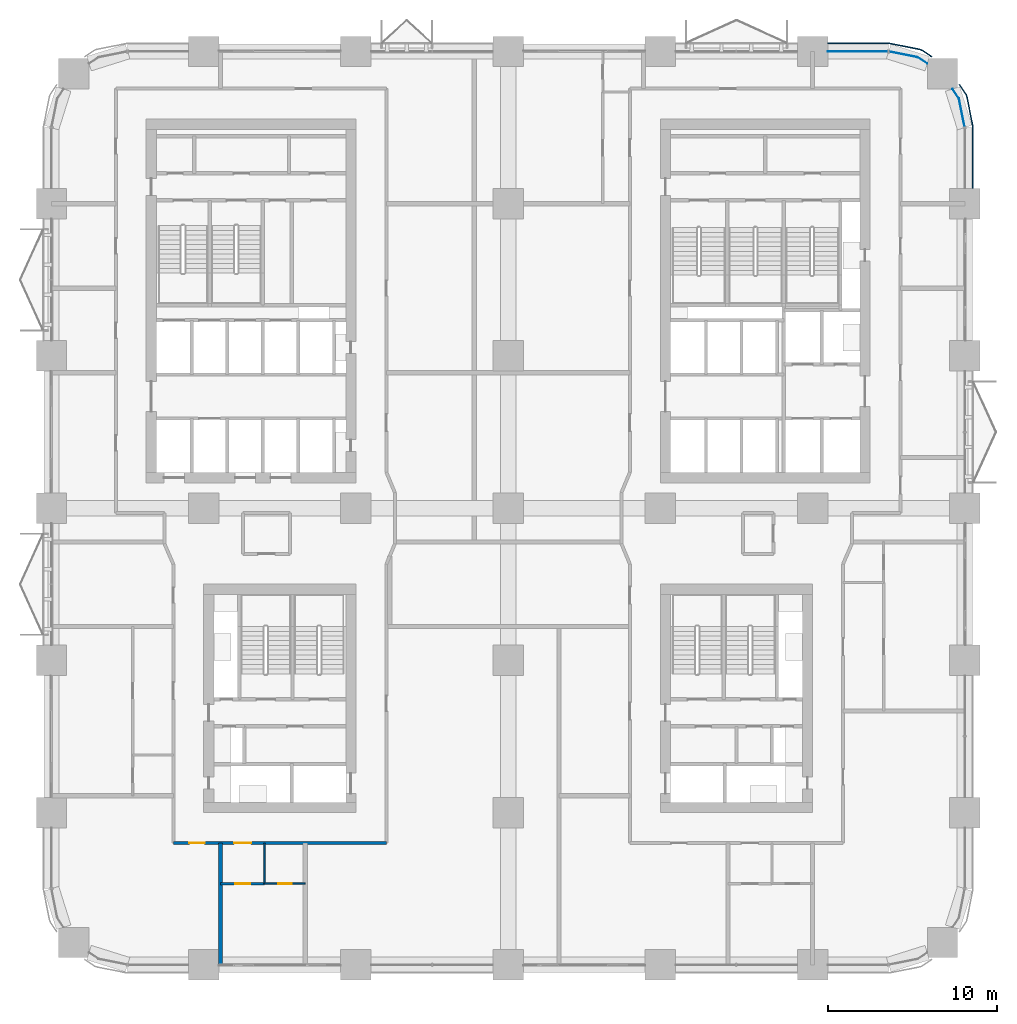
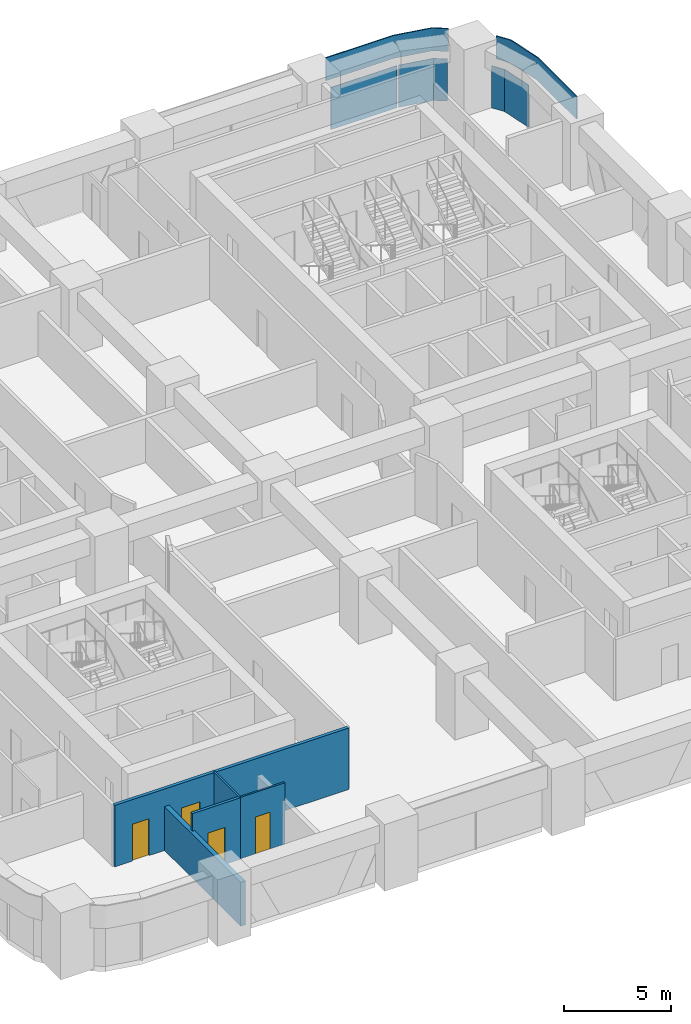
# One storey, part 11 of 21: 5 plates, 5 walls, 4 doors, 4 openings, 2 elements without a shape of their own.
"""IFC4 building model written with IfcOpenShell, lengths in metres."""

from ifc_helpers import new_model, si_unit, direction, frame, frame_2d, origin, origin_2d, place, context, subcontext, project, spatial, polyline, rectangle, outline, extrude, material, layer, layer_set, type_object, element, fill, aggregate, save


model = new_model("IFC4")

# Units and contexts
model_context = context("Model", 3, precision=1e-05, world=origin(), true_north=direction((0.0, 1.0)))
body_context = subcontext(model_context, "Body", "Model", "MODEL_VIEW")
ifc_project = project(units=[si_unit("LENGTHUNIT", "METRE"), si_unit("AREAUNIT", "SQUARE_METRE"), si_unit("VOLUMEUNIT", "CUBIC_METRE"), si_unit("PLANEANGLEUNIT", "RADIAN"), si_unit("MASSUNIT", "GRAM", prefix="KILO")], contexts=[model_context])

# Site, building, storey
site_placement = place(None, origin())
site = spatial("IfcSite", under=ifc_project, at=site_placement, CompositionType="ELEMENT")
building_placement = place(site_placement, origin())
building = spatial("IfcBuilding", under=site, at=building_placement, Name="Tessera Arch", CompositionType="ELEMENT")
storey_placement = place(building_placement, frame((0.0, 0.0, 42.39990234375)))
storey = spatial("IfcBuildingStorey", under=building, at=storey_placement, Name="L08", CompositionType="ELEMENT", Elevation=42.39990234375)

# Curtain wall, plate
ifc_material_1 = material(Name="CW2 curtain wall")
curtain_wall_type = type_object("IfcCurtainWallType", Name="CW2 curtain wall", PredefinedType="NOTDEFINED", material=ifc_material_1)
curtain_wall_1_placement = place(storey_placement, origin())
curtain_wall_1 = element("IfcCurtainWall", 1, at=curtain_wall_1_placement, inside=storey, type_object=curtain_wall_type, Name="CW2 curtain wall E54.0/5 L08", PredefinedType="NOTDEFINED")
ifc_material_2 = material(Name="Clear low-e glass", Category="glass")
ifc_material_3 = material(Name="Clear low-e glass", Category="glass")
ifc_layer_1 = layer(ifc_material_3, 0.028076171875)
ifc_layer_set_1 = layer_set([ifc_layer_1], Name="CW2 glass panel")
plate_type_1 = type_object("IfcPlateType", Name="CW2 glass panel", PredefinedType="CURTAIN_PANEL", material=ifc_layer_set_1)
plate_1_placement = place(storey_placement, origin())
plate_1 = element("IfcPlate", 2, at=plate_1_placement, type_object=plate_type_1, material=ifc_material_2, Name="CW2 curved glass panel E54.0/5 2.1", PredefinedType="CURTAIN_PANEL", context=body_context, shape_type="SweptSolid", body=[
    extrude(outline(polyline([(53.644287109375, 51.216552734375), (53.978515625, 49.53662109375), (54.005859375, 49.5419921875), (53.670654296875, 51.2275390625), (53.294921875, 51.789794921875), (53.271728515625, 51.774169921875), (53.644287109375, 51.216552734375)])), origin(), (0.0, 0.0, 1.0), 2.400146484375),
])

# Curtain wall, plates
curtain_wall_2_placement = place(storey_placement, origin())
curtain_wall_2 = element("IfcCurtainWall", 3, at=curtain_wall_2_placement, inside=storey, type_object=curtain_wall_type, Name="CW2 curtain wall N54.0/0 L08", PredefinedType="NOTDEFINED")
plate_2_placement = place(storey_placement, frame((47.679931640625, 54.0, 0.000244140625), z_axis=(0.0, 0.0, 1.0), x_axis=(-1.0, 0.0, 0.0)))
plate_2 = element("IfcPlate", 4, at=plate_2_placement, type_object=plate_type_1, material=ifc_material_2, Name="CW2 glass panel N54.0/0 1.1", PredefinedType="CURTAIN_PANEL", context=body_context, shape_type="SweptSolid", body=[
    extrude(rectangle(XDim=3.56005859375, YDim=0.028076171875, at=origin_2d()), origin(), (0.0, 0.0, 1.0), 2.39990234375),
])
plate_3_placement = place(storey_placement, origin())
plate_3 = element("IfcPlate", 5, at=plate_3_placement, type_object=plate_type_1, material=ifc_material_2, Name="CW2 curved glass panel N54.0/0 2.1", PredefinedType="CURTAIN_PANEL", context=body_context, shape_type="SweptSolid", body=[
    extrude(outline(polyline([(51.216552734375, 53.644287109375), (51.774169921875, 53.271728515625), (51.789794921875, 53.294921875), (51.2275390625, 53.670654296875), (49.5419921875, 54.005859375), (49.53662109375, 53.978515625), (51.216552734375, 53.644287109375)])), origin(), (0.0, 0.0, 1.0), 2.400146484375),
])

# Plate
ifc_material_4 = material(Name="Pale anodised aluminium panel", Category="aluminium")
ifc_layer_2 = layer(ifc_material_4, 0.06005859375)
ifc_layer_set_2 = layer_set([ifc_layer_2], Name="CW2 spandrel panel")
plate_type_2 = type_object("IfcPlateType", Name="CW2 spandrel panel", PredefinedType="CURTAIN_PANEL", material=ifc_layer_set_2)
plate_4_placement = place(storey_placement, frame((0.0, 0.0, 2.5)))
plate_4 = element("IfcPlate", 6, at=plate_4_placement, type_object=plate_type_2, Name="CW2 spandrel panel E54.0/5", PredefinedType="CURTAIN_PANEL", context=body_context, shape_type="SweptSolid", body=[
    extrude(outline(polyline([(54.449951171875, 49.499267578125), (54.449951171875, 45.89990234375), (54.510009765625, 45.89990234375), (54.510009765625, 49.500732421875), (54.507568359375, 49.550048828125), (54.500244140625, 49.598876953125), (54.157470703125, 51.322265625), (54.1455078125, 51.3701171875), (54.128662109375, 51.417236328125), (54.107177734375, 51.462646484375), (54.08203125, 51.5048828125), (53.707275390625, 52.0654296875), (53.657470703125, 52.031982421875), (54.03125, 51.47265625), (54.05419921875, 51.434326171875), (54.0732421875, 51.394287109375), (54.088134765625, 51.352783203125), (54.09912109375, 51.30908203125), (54.441162109375, 49.588623046875), (54.44775390625, 49.544189453125), (54.449951171875, 49.499267578125)])), origin(), (0.0, 0.0, 1.0), 1.300048828125),
])

aggregate(curtain_wall_1, [plate_1, plate_4])

plate_5_placement = place(storey_placement, frame((0.0, 0.0, 2.5)))
plate_5 = element("IfcPlate", 7, at=plate_5_placement, type_object=plate_type_2, Name="CW2 spandrel panel N54.0/0", PredefinedType="CURTAIN_PANEL", context=body_context, shape_type="SweptSolid", body=[
    extrude(outline(polyline([(51.47265625, 54.03125), (52.031982421875, 53.657470703125), (52.0654296875, 53.707275390625), (51.5048828125, 54.08203125), (51.462646484375, 54.107177734375), (51.417236328125, 54.128662109375), (51.3701171875, 54.1455078125), (51.322265625, 54.157470703125), (49.598876953125, 54.500244140625), (49.550048828125, 54.507568359375), (49.500732421875, 54.510009765625), (45.89990234375, 54.510009765625), (45.89990234375, 54.449951171875), (49.499267578125, 54.449951171875), (49.544189453125, 54.44775390625), (49.588623046875, 54.441162109375), (51.30908203125, 54.09912109375), (51.352783203125, 54.088134765625), (51.394287109375, 54.0732421875), (51.434326171875, 54.05419921875), (51.47265625, 54.03125)])), origin(), (0.0, 0.0, 1.0), 1.300048828125),
])

aggregate(curtain_wall_2, [plate_2, plate_3, plate_5])

# Wall, openings, doors
ifc_material_5 = material(Name="Gypsum board on deep steel stud with mineral wool", Category="steel")
ifc_layer_3 = layer(ifc_material_5, 0.175048828125)
ifc_layer_set_3 = layer_set([ifc_layer_3], Name="Corridor wall 175 EI 60")
wall_type_1 = type_object("IfcWallType", Name="Corridor wall 175 EI 60", PredefinedType="PARTITIONING", material=ifc_layer_set_3)
wall_1_placement = place(storey_placement, frame((7.199951171875, 7.199951171875, 0.0), z_axis=(0.0, 0.0, 1.0), x_axis=(1.0, 0.0, 0.0)))
wall_1 = element("IfcWall", 8, at=wall_1_placement, inside=storey, type_object=wall_type_1, Name="L08 partition 1", PredefinedType="PARTITIONING", context=body_context, shape_type="SweptSolid", body=[
    extrude(rectangle(XDim=12.60009765625, YDim=0.175048828125, at=frame_2d((6.300048828125, 0.0))), origin(), (0.0, 0.0, 1.0), 3.5),
])
opening_1_placement = place(wall_1_placement, frame((3.60009765625, 0.0, 0.0)))
opening_1 = element("IfcOpeningElement", 9, at=opening_1_placement, cuts=wall_1, Name="Opening L08-D001", PredefinedType="OPENING", context=body_context, shape_type="SweptSolid", body=[
    extrude(rectangle(XDim=1.0, YDim=2.10009765625, at=frame_2d((0.5, 1.050048828125))), frame((0.0, 0.097412109375, 0.0), z_axis=(0.0, -1.0, 0.0), x_axis=(1.0, 0.0, 0.0)), (0.0, 0.0, 1.0), 0.195068359375),
])
opening_2_placement = place(wall_1_placement, frame((0.949951171875, 0.0, 0.0)))
opening_2 = element("IfcOpeningElement", 10, at=opening_2_placement, cuts=wall_1, Name="Opening L08-D008", PredefinedType="OPENING", context=body_context, shape_type="SweptSolid", body=[
    extrude(rectangle(XDim=0.89990234375, YDim=2.10009765625, at=frame_2d((0.449951171875, 1.050048828125))), frame((0.0, 0.097412109375, 0.0), z_axis=(0.0, -1.0, 0.0), x_axis=(1.0, 0.0, 0.0)), (0.0, 0.0, 1.0), 0.195068359375),
])
ifc_material_6 = material(Name="Fire-rated door leaf")
door_type_1 = type_object("IfcDoorType", Name="Entrance door FD30S 1000 x 2100", OperationType="SINGLE_SWING_LEFT", PredefinedType="DOOR", material=ifc_material_6)
door_1_placement = place(opening_1_placement, origin())
door_1 = element("IfcDoor", 11, at=door_1_placement, inside=storey, type_object=door_type_1, Name="L08 door D001 type D03", OperationType="SINGLE_SWING_RIGHT", OverallHeight=2.10009765625, OverallWidth=1.0, PredefinedType="DOOR", context=body_context, shape_type="SweptSolid", body=[
    extrude(rectangle(XDim=1.0, YDim=2.10009765625, at=frame_2d((0.5, 1.050048828125))), frame((0.0, 0.02490234375, 0.0), z_axis=(0.0, -1.0, 0.0), x_axis=(1.0, 0.0, 0.0)), (0.0, 0.0, 1.0), 0.050048828125),
])
fill(opening_1, door_1)
ifc_material_7 = material(Name="Timber door leaf", Category="wood")
door_type_2 = type_object("IfcDoorType", Name="Room door 900 x 2100", OperationType="SINGLE_SWING_LEFT", PredefinedType="DOOR", material=ifc_material_7)
door_2_placement = place(opening_2_placement, origin())
door_2 = element("IfcDoor", 12, at=door_2_placement, inside=storey, type_object=door_type_2, Name="L08 door D008 type D01", OperationType="SINGLE_SWING_LEFT", OverallHeight=2.10009765625, OverallWidth=0.89990234375, PredefinedType="DOOR", context=body_context, shape_type="SweptSolid", body=[
    extrude(rectangle(XDim=0.89990234375, YDim=2.10009765625, at=frame_2d((0.449951171875, 1.050048828125))), frame((0.0, 0.02490234375, 0.0), z_axis=(0.0, -1.0, 0.0), x_axis=(1.0, 0.0, 0.0)), (0.0, 0.0, 1.0), 0.050048828125),
])
fill(opening_2, door_2)

# Wall, opening, door
ifc_material_8 = material(Name="Gypsum board on steel stud", Category="steel")
ifc_layer_4 = layer(ifc_material_8, 0.14990234375)
ifc_layer_set_4 = layer_set([ifc_layer_4], Name="Partition 150")
wall_type_2 = type_object("IfcWallType", Name="Partition 150", PredefinedType="PARTITIONING", material=ifc_layer_set_4)
wall_2_placement = place(storey_placement, frame((10.0, 4.800048828125, 0.0), z_axis=(0.0, 0.0, 1.0), x_axis=(1.0, 0.0, 0.0)))
wall_2 = element("IfcWall", 13, at=wall_2_placement, inside=storey, type_object=wall_type_2, Name="L08 partition 27", PredefinedType="PARTITIONING", context=body_context, shape_type="SweptSolid", body=[
    extrude(rectangle(XDim=2.60009765625, YDim=0.14990234375, at=frame_2d((1.300048828125, 0.0))), origin(), (0.0, 0.0, 1.0), 3.5),
])
opening_3_placement = place(wall_2_placement, frame((0.85009765625, 0.0, 0.0)))
opening_3 = element("IfcOpeningElement", 14, at=opening_3_placement, cuts=wall_2, Name="Opening L08-D002", PredefinedType="OPENING", context=body_context, shape_type="SweptSolid", body=[
    extrude(rectangle(XDim=0.89990234375, YDim=2.10009765625, at=frame_2d((0.449951171875, 1.050048828125))), frame((0.0, 0.0849609375, 0.0), z_axis=(0.0, -1.0, 0.0), x_axis=(1.0, 0.0, 0.0)), (0.0, 0.0, 1.0), 0.169921875),
])
door_3_placement = place(opening_3_placement, origin())
door_3 = element("IfcDoor", 15, at=door_3_placement, inside=storey, type_object=door_type_2, Name="L08 door D002 type D01", OperationType="SINGLE_SWING_LEFT", OverallHeight=2.10009765625, OverallWidth=0.89990234375, PredefinedType="DOOR", context=body_context, shape_type="SweptSolid", body=[
    extrude(rectangle(XDim=0.89990234375, YDim=2.10009765625, at=frame_2d((0.449951171875, 1.050048828125))), frame((0.0, 0.02490234375, 0.0), z_axis=(0.0, -1.0, 0.0), x_axis=(1.0, 0.0, 0.0)), (0.0, 0.0, 1.0), 0.050048828125),
])
fill(opening_3, door_3)

# Wall
ifc_material_9 = material(Name="Double gypsum board on twin steel stud with acoustic mineral wool", Category="steel")
ifc_layer_5 = layer(ifc_material_9, 0.25)
ifc_layer_set_5 = layer_set([ifc_layer_5], Name="Party wall 250 EI 60")
wall_type_3 = type_object("IfcWallType", Name="Party wall 250 EI 60", PredefinedType="PARTITIONING", material=ifc_layer_set_5)
wall_3_placement = place(storey_placement, frame((10.0, 0.0, 0.0), z_axis=(0.0, 0.0, 1.0), x_axis=(0.0, 1.0, 0.0)))
element("IfcWall", 16, at=wall_3_placement, inside=storey, type_object=wall_type_3, Name="L08 partition 48", PredefinedType="PARTITIONING", context=body_context, shape_type="SweptSolid", body=[
    extrude(rectangle(XDim=7.199951171875, YDim=0.25, at=frame_2d((3.60009765625, 0.0))), origin(), (0.0, 0.0, 1.0), 2.5),
])

# Wall, opening, door
ifc_material_10 = material(Name="Moisture-resistant board on pre-plumbed steel stud", Category="steel")
ifc_layer_6 = layer(ifc_material_10, 0.10009765625)
ifc_layer_set_6 = layer_set([ifc_layer_6], Name="Wet wall 100")
wall_type_4 = type_object("IfcWallType", Name="Wet wall 100", PredefinedType="PARTITIONING", material=ifc_layer_set_6)
wall_4_placement = place(storey_placement, frame((12.60009765625, 4.800048828125, 0.0), z_axis=(0.0, 0.0, 1.0), x_axis=(1.0, 0.0, 0.0)))
wall_4 = element("IfcWall", 17, at=wall_4_placement, inside=storey, type_object=wall_type_4, Name="L08 partition 58", PredefinedType="PARTITIONING", context=body_context, shape_type="SweptSolid", body=[
    extrude(rectangle(XDim=2.39990234375, YDim=0.10009765625, at=frame_2d((1.199951171875, 0.0))), origin(), (0.0, 0.0, 1.0), 3.5),
])
opening_4_placement = place(wall_4_placement, frame((0.800048828125, 0.0, 0.0)))
opening_4 = element("IfcOpeningElement", 18, at=opening_4_placement, cuts=wall_4, Name="Opening L08-D003", PredefinedType="OPENING", context=body_context, shape_type="SweptSolid", body=[
    extrude(rectangle(XDim=0.800048828125, YDim=2.10009765625, at=frame_2d((0.39990234375, 1.050048828125))), frame((0.0, 0.06005859375, 0.0), z_axis=(0.0, -1.0, 0.0), x_axis=(1.0, 0.0, 0.0)), (0.0, 0.0, 1.0), 0.1201171875),
])
ifc_material_11 = material(Name="Timber door leaf", Category="wood")
door_type_3 = type_object("IfcDoorType", Name="En-suite door 800 x 2100", OperationType="SINGLE_SWING_LEFT", PredefinedType="DOOR", material=ifc_material_11)
door_4_placement = place(opening_4_placement, origin())
door_4 = element("IfcDoor", 19, at=door_4_placement, inside=storey, type_object=door_type_3, Name="L08 door D003 type D02", OperationType="SINGLE_SWING_RIGHT", OverallHeight=2.10009765625, OverallWidth=0.800048828125, PredefinedType="DOOR", context=body_context, shape_type="SweptSolid", body=[
    extrude(rectangle(XDim=0.800048828125, YDim=2.10009765625, at=frame_2d((0.39990234375, 1.050048828125))), frame((0.0, 0.02490234375, 0.0), z_axis=(0.0, -1.0, 0.0), x_axis=(1.0, 0.0, 0.0)), (0.0, 0.0, 1.0), 0.050048828125),
])
fill(opening_4, door_4)

# Wall
wall_5_placement = place(storey_placement, frame((12.60009765625, 4.800048828125, 0.0), z_axis=(0.0, 0.0, 1.0), x_axis=(0.0, 1.0, 0.0)))
element("IfcWall", 20, at=wall_5_placement, inside=storey, type_object=wall_type_4, Name="L08 partition 64", PredefinedType="PARTITIONING", context=body_context, shape_type="SweptSolid", body=[
    extrude(rectangle(XDim=2.39990234375, YDim=0.10009765625, at=frame_2d((1.199951171875, 0.0))), origin(), (0.0, 0.0, 1.0), 3.5),
])

save(model, "model.ifc")
